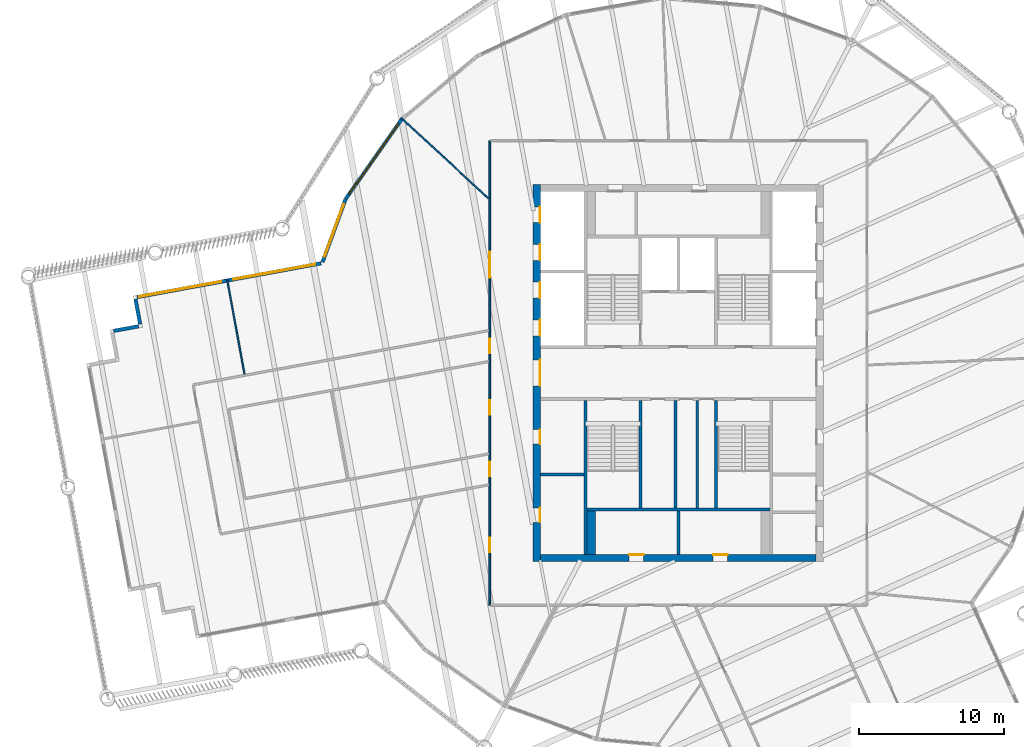
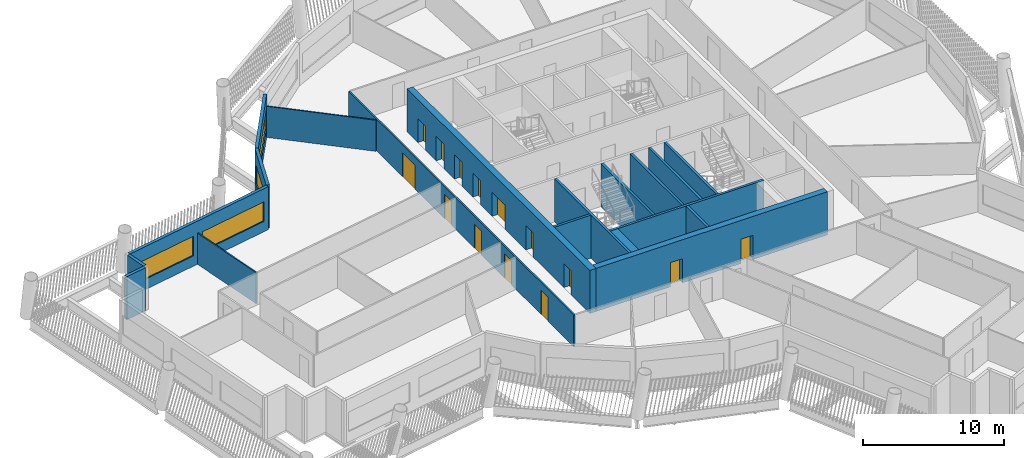
# One storey, part 4 of 15: 19 walls, 14 doors, 4 windows, 18 openings.
"""IFC4 building model written with IfcOpenShell, lengths in metres."""

from ifc_helpers import new_model, si_unit, direction, frame, frame_2d, origin, place, context, subcontext, project, spatial, rectangle, extrude, material, layer, layer_set, type_object, element, fill, save


model = new_model("IFC4")

# Units and contexts
model_context = context("Model", 3, precision=1e-05, world=origin(), true_north=direction((0.0, 1.0)))
body_context = subcontext(model_context, "Body", "Model", "MODEL_VIEW")
ifc_project = project(units=[si_unit("LENGTHUNIT", "METRE"), si_unit("AREAUNIT", "SQUARE_METRE"), si_unit("VOLUMEUNIT", "CUBIC_METRE"), si_unit("PLANEANGLEUNIT", "RADIAN"), si_unit("MASSUNIT", "GRAM", prefix="KILO")], contexts=[model_context])

# Site, building, storey
site_placement = place(None, origin())
site = spatial("IfcSite", under=ifc_project, at=site_placement, CompositionType="ELEMENT")
building_placement = place(site_placement, origin())
building = spatial("IfcBuilding", under=site, at=building_placement, Name="Tarsis Ring Headquarters", CompositionType="ELEMENT")
storey_placement = place(building_placement, frame((0.0, 0.0, 327.5)))
storey = spatial("IfcBuildingStorey", under=building, at=storey_placement, Name="L77", CompositionType="ELEMENT", Elevation=327.5)

# Walls
ifc_material_1 = material(Name="Blockwork", Category="masonry")
ifc_layer_1 = layer(ifc_material_1, 0.199951171875)
ifc_layer_set_1 = layer_set([ifc_layer_1], Name="Core blockwork wall 200")
wall_type_1 = type_object("IfcWallType", Name="Core blockwork wall 200", PredefinedType="PARTITIONING", material=ifc_layer_set_1)
for number, where, z_axis, x_axis, name in (
    (1, (-9.5, -7.0, 0.0), (0.0, 0.0, 1.0), (1.0, 0.0, 0.0), "Core partition WD2"),
    (2, (0.0, -12.5, 0.0), (0.0, 0.0, 1.0), (0.0, 1.0, 0.0), "Core partition SD2"),
):
    element("IfcWall", number, at=place(storey_placement, frame(where, z_axis=z_axis, x_axis=x_axis)), inside=storey, type_object=wall_type_1, Name=name, PredefinedType="PARTITIONING", context=body_context, shape_type="SweptSolid", body=[
        extrude(rectangle(XDim=3.0, YDim=0.199951171875, at=frame_2d((1.5, 0.0))), origin(), (0.0, 0.0, 1.0), 3.739990234375),
    ])
for number, where, z_axis, x_axis, name in (
    (3, (-0.199951171875, -9.300048828125, 0.0), (0.0, 0.0, 1.0), (0.0, 1.0, 0.0), "Core partition SV1"),
    (4, (1.300048828125, -9.300048828125, 0.0), (0.0, 0.0, 1.0), (0.0, 1.0, 0.0), "Core partition SV2"),
):
    element("IfcWall", number, at=place(storey_placement, frame(where, z_axis=z_axis, x_axis=x_axis)), inside=storey, type_object=wall_type_1, Name=name, PredefinedType="PARTITIONING", context=body_context, shape_type="SweptSolid", body=[
        extrude(rectangle(XDim=7.400146484375, YDim=0.199951171875, at=frame_2d((3.7001953125, 0.0))), origin(), (0.0, 0.0, 1.0), 3.739990234375),
    ])

# Wall, openings, doors
ifc_material_2 = material(Name="Concrete C50/60", Category="concrete")
ifc_layer_2 = layer(ifc_material_2, 0.5)
ifc_layer_set_2 = layer_set([ifc_layer_2], Name="Core wall 500 C50/60")
wall_type_2 = type_object("IfcWallType", Name="Core wall 500 C50/60", PredefinedType="SHEAR", material=ifc_layer_set_2)
wall_1_placement = place(storey_placement, frame((-9.75, -13.0, 0.0), z_axis=(0.0, 0.0, 1.0), x_axis=(0.0, 1.0, 0.0)))
wall_1 = element("IfcWall", 5, at=wall_1_placement, inside=storey, type_object=wall_type_2, Name="Core wall OW", PredefinedType="SHEAR", context=body_context, shape_type="SweptSolid", body=[
    extrude(rectangle(XDim=26.0, YDim=0.5, at=frame_2d((13.0, 0.0))), origin(), (0.0, 0.0, 1.0), 3.739990234375),
])
opening_1_placement = place(wall_1_placement, frame((2.699951171875, 0.0, 0.0)))
opening_1 = element("IfcOpeningElement", 6, at=opening_1_placement, cuts=wall_1, Name="Opening L77-C01", PredefinedType="OPENING", context=body_context, shape_type="SweptSolid", body=[
    extrude(rectangle(XDim=1.0, YDim=2.10009765625, at=frame_2d((0.5, 1.050048828125))), frame((0.0, 0.260009765625, 0.0), z_axis=(0.0, -1.0, 0.0), x_axis=(1.0, 0.0, 0.0)), (0.0, 0.0, 1.0), 0.52001953125),
])
opening_2_placement = place(wall_1_placement, frame((8.10009765625, 0.0, 0.0)))
opening_2 = element("IfcOpeningElement", 7, at=opening_2_placement, cuts=wall_1, Name="Opening L77-C02", PredefinedType="OPENING", context=body_context, shape_type="SweptSolid", body=[
    extrude(rectangle(XDim=1.0, YDim=2.10009765625, at=frame_2d((0.5, 1.050048828125))), frame((0.0, 0.260009765625, 0.0), z_axis=(0.0, -1.0, 0.0), x_axis=(1.0, 0.0, 0.0)), (0.0, 0.0, 1.0), 0.52001953125),
])
opening_3_placement = place(wall_1_placement, frame((12.10009765625, 0.0, 0.0)))
opening_3 = element("IfcOpeningElement", 8, at=opening_3_placement, cuts=wall_1, Name="Opening L77-C03", PredefinedType="OPENING", context=body_context, shape_type="SweptSolid", body=[
    extrude(rectangle(XDim=1.800048828125, YDim=2.10009765625, at=frame_2d((0.89990234375, 1.050048828125))), frame((0.0, 0.260009765625, 0.0), z_axis=(0.0, -1.0, 0.0), x_axis=(1.0, 0.0, 0.0)), (0.0, 0.0, 1.0), 0.52001953125),
])
opening_4_placement = place(wall_1_placement, frame((15.550048828125, 0.0, 0.0)))
opening_4 = element("IfcOpeningElement", 9, at=opening_4_placement, cuts=wall_1, Name="Opening LD-HR1", PredefinedType="OPENING", context=body_context, shape_type="SweptSolid", body=[
    extrude(rectangle(XDim=1.10009765625, YDim=2.10009765625, at=frame_2d((0.550048828125, 1.050048828125))), frame((0.0, 0.260009765625, 0.0), z_axis=(0.0, -1.0, 0.0), x_axis=(1.0, 0.0, 0.0)), (0.0, 0.0, 1.0), 0.52001953125),
])
opening_5_placement = place(wall_1_placement, frame((18.14990234375, 0.0, 0.0)))
opening_5 = element("IfcOpeningElement", 10, at=opening_5_placement, cuts=wall_1, Name="Opening LD-HR2", PredefinedType="OPENING", context=body_context, shape_type="SweptSolid", body=[
    extrude(rectangle(XDim=1.10009765625, YDim=2.10009765625, at=frame_2d((0.550048828125, 1.050048828125))), frame((0.0, 0.260009765625, 0.0), z_axis=(0.0, -1.0, 0.0), x_axis=(1.0, 0.0, 0.0)), (0.0, 0.0, 1.0), 0.52001953125),
])
opening_6_placement = place(wall_1_placement, frame((20.75, 0.0, 0.0)))
opening_6 = element("IfcOpeningElement", 11, at=opening_6_placement, cuts=wall_1, Name="Opening LD-HR3", PredefinedType="OPENING", context=body_context, shape_type="SweptSolid", body=[
    extrude(rectangle(XDim=1.10009765625, YDim=2.10009765625, at=frame_2d((0.550048828125, 1.050048828125))), frame((0.0, 0.260009765625, 0.0), z_axis=(0.0, -1.0, 0.0), x_axis=(1.0, 0.0, 0.0)), (0.0, 0.0, 1.0), 0.52001953125),
])
opening_7_placement = place(wall_1_placement, frame((23.35009765625, 0.0, 0.0)))
opening_7 = element("IfcOpeningElement", 12, at=opening_7_placement, cuts=wall_1, Name="Opening LD-HR4", PredefinedType="OPENING", context=body_context, shape_type="SweptSolid", body=[
    extrude(rectangle(XDim=1.10009765625, YDim=2.10009765625, at=frame_2d((0.550048828125, 1.050048828125))), frame((0.0, 0.260009765625, 0.0), z_axis=(0.0, -1.0, 0.0), x_axis=(1.0, 0.0, 0.0)), (0.0, 0.0, 1.0), 0.52001953125),
])
ifc_material_3 = material(Name="Steel S355", Category="steel")
door_type_1 = type_object("IfcDoorType", Name="Core entry door 1800x2100", OperationType="DOUBLE_DOOR_SINGLE_SWING", PredefinedType="DOOR", material=ifc_material_3)
door_1_placement = place(opening_3_placement, origin())
door_1 = element("IfcDoor", 13, at=door_1_placement, inside=storey, type_object=door_type_1, Name="Core entry door L77", OperationType="DOUBLE_DOOR_SINGLE_SWING", OverallHeight=2.10009765625, OverallWidth=1.800048828125, PredefinedType="DOOR", context=body_context, shape_type="SweptSolid", body=[
    extrude(rectangle(XDim=1.800048828125, YDim=2.10009765625, at=frame_2d((0.89990234375, 1.050048828125))), frame((0.0, -0.2001953125, 0.0), z_axis=(0.0, -1.0, 0.0), x_axis=(1.0, 0.0, 0.0)), (0.0, 0.0, 1.0), 0.050048828125),
])
fill(opening_3, door_1)
door_type_2 = type_object("IfcDoorType", Name="Core room door 1000x2100", OperationType="SINGLE_SWING_LEFT", PredefinedType="DOOR", material=ifc_material_3)
door_2_placement = place(opening_1_placement, origin())
door_2 = element("IfcDoor", 14, at=door_2_placement, inside=storey, type_object=door_type_2, Name="Core room door L77", OperationType="SINGLE_SWING_LEFT", OverallHeight=2.10009765625, OverallWidth=1.0, PredefinedType="DOOR", context=body_context, shape_type="SweptSolid", body=[
    extrude(rectangle(XDim=1.0, YDim=2.10009765625, at=frame_2d((0.5, 1.050048828125))), frame((0.0, -0.2001953125, 0.0), z_axis=(0.0, -1.0, 0.0), x_axis=(1.0, 0.0, 0.0)), (0.0, 0.0, 1.0), 0.050048828125),
])
fill(opening_1, door_2)
door_3_placement = place(opening_2_placement, origin())
door_3 = element("IfcDoor", 15, at=door_3_placement, inside=storey, type_object=door_type_2, Name="Core room door L77", OperationType="SINGLE_SWING_LEFT", OverallHeight=2.10009765625, OverallWidth=1.0, PredefinedType="DOOR", context=body_context, shape_type="SweptSolid", body=[
    extrude(rectangle(XDim=1.0, YDim=2.10009765625, at=frame_2d((0.5, 1.050048828125))), frame((0.0, -0.2001953125, 0.0), z_axis=(0.0, -1.0, 0.0), x_axis=(1.0, 0.0, 0.0)), (0.0, 0.0, 1.0), 0.050048828125),
])
fill(opening_2, door_3)
door_type_3 = type_object("IfcDoorType", Name="Landing door 1100x2100", OperationType="SLIDING_TO_LEFT", PredefinedType="DOOR", material=ifc_material_3)
door_4_placement = place(opening_4_placement, origin())
door_4 = element("IfcDoor", 16, at=door_4_placement, inside=storey, type_object=door_type_3, Name="Landing door HR1 L77", OperationType="SLIDING_TO_LEFT", OverallHeight=2.10009765625, OverallWidth=1.10009765625, PredefinedType="DOOR", context=body_context, shape_type="SweptSolid", body=[
    extrude(rectangle(XDim=1.10009765625, YDim=2.10009765625, at=frame_2d((0.550048828125, 1.050048828125))), frame((0.0, -0.2001953125, 0.0), z_axis=(0.0, -1.0, 0.0), x_axis=(1.0, 0.0, 0.0)), (0.0, 0.0, 1.0), 0.050048828125),
])
fill(opening_4, door_4)
door_5_placement = place(opening_5_placement, origin())
door_5 = element("IfcDoor", 17, at=door_5_placement, inside=storey, type_object=door_type_3, Name="Landing door HR2 L77", OperationType="SLIDING_TO_LEFT", OverallHeight=2.10009765625, OverallWidth=1.10009765625, PredefinedType="DOOR", context=body_context, shape_type="SweptSolid", body=[
    extrude(rectangle(XDim=1.10009765625, YDim=2.10009765625, at=frame_2d((0.550048828125, 1.050048828125))), frame((0.0, -0.2001953125, 0.0), z_axis=(0.0, -1.0, 0.0), x_axis=(1.0, 0.0, 0.0)), (0.0, 0.0, 1.0), 0.050048828125),
])
fill(opening_5, door_5)
door_6_placement = place(opening_6_placement, origin())
door_6 = element("IfcDoor", 18, at=door_6_placement, inside=storey, type_object=door_type_3, Name="Landing door HR3 L77", OperationType="SLIDING_TO_LEFT", OverallHeight=2.10009765625, OverallWidth=1.10009765625, PredefinedType="DOOR", context=body_context, shape_type="SweptSolid", body=[
    extrude(rectangle(XDim=1.10009765625, YDim=2.10009765625, at=frame_2d((0.550048828125, 1.050048828125))), frame((0.0, -0.2001953125, 0.0), z_axis=(0.0, -1.0, 0.0), x_axis=(1.0, 0.0, 0.0)), (0.0, 0.0, 1.0), 0.050048828125),
])
fill(opening_6, door_6)
door_7_placement = place(opening_7_placement, origin())
door_7 = element("IfcDoor", 19, at=door_7_placement, inside=storey, type_object=door_type_3, Name="Landing door HR4 L77", OperationType="SLIDING_TO_LEFT", OverallHeight=2.10009765625, OverallWidth=1.10009765625, PredefinedType="DOOR", context=body_context, shape_type="SweptSolid", body=[
    extrude(rectangle(XDim=1.10009765625, YDim=2.10009765625, at=frame_2d((0.550048828125, 1.050048828125))), frame((0.0, -0.2001953125, 0.0), z_axis=(0.0, -1.0, 0.0), x_axis=(1.0, 0.0, 0.0)), (0.0, 0.0, 1.0), 0.050048828125),
])
fill(opening_7, door_7)

wall_2_placement = place(storey_placement, frame((-9.5, -12.75, 0.0), z_axis=(0.0, 0.0, 1.0), x_axis=(1.0, 0.0, 0.0)))
wall_2 = element("IfcWall", 20, at=wall_2_placement, inside=storey, type_object=wall_type_2, Name="Core wall OS", PredefinedType="SHEAR", context=body_context, shape_type="SweptSolid", body=[
    extrude(rectangle(XDim=19.0, YDim=0.5, at=frame_2d((9.5, 0.0))), origin(), (0.0, 0.0, 1.0), 3.739990234375),
])
opening_8_placement = place(wall_2_placement, frame((6.10009765625, 0.0, 0.0)))
opening_8 = element("IfcOpeningElement", 21, at=opening_8_placement, cuts=wall_2, Name="Opening L77-C18", PredefinedType="OPENING", context=body_context, shape_type="SweptSolid", body=[
    extrude(rectangle(XDim=1.0, YDim=2.10009765625, at=frame_2d((0.5, 1.050048828125))), frame((0.0, 0.260009765625, 0.0), z_axis=(0.0, -1.0, 0.0), x_axis=(1.0, 0.0, 0.0)), (0.0, 0.0, 1.0), 0.52001953125),
])
opening_9_placement = place(wall_2_placement, frame((11.89990234375, 0.0, 0.0)))
opening_9 = element("IfcOpeningElement", 22, at=opening_9_placement, cuts=wall_2, Name="Opening L77-C19", PredefinedType="OPENING", context=body_context, shape_type="SweptSolid", body=[
    extrude(rectangle(XDim=1.0, YDim=2.10009765625, at=frame_2d((0.5, 1.050048828125))), frame((0.0, 0.260009765625, 0.0), z_axis=(0.0, -1.0, 0.0), x_axis=(1.0, 0.0, 0.0)), (0.0, 0.0, 1.0), 0.52001953125),
])
door_8_placement = place(opening_8_placement, origin())
door_8 = element("IfcDoor", 23, at=door_8_placement, inside=storey, type_object=door_type_2, Name="Core room door L77", OperationType="SINGLE_SWING_LEFT", OverallHeight=2.10009765625, OverallWidth=1.0, PredefinedType="DOOR", context=body_context, shape_type="SweptSolid", body=[
    extrude(rectangle(XDim=1.0, YDim=2.10009765625, at=frame_2d((0.5, 1.050048828125))), frame((0.0, 0.25, 0.0), z_axis=(0.0, -1.0, 0.0), x_axis=(1.0, 0.0, 0.0)), (0.0, 0.0, 1.0), 0.050048828125),
])
fill(opening_8, door_8)
door_9_placement = place(opening_9_placement, origin())
door_9 = element("IfcDoor", 24, at=door_9_placement, inside=storey, type_object=door_type_2, Name="Core room door L77", OperationType="SINGLE_SWING_LEFT", OverallHeight=2.10009765625, OverallWidth=1.0, PredefinedType="DOOR", context=body_context, shape_type="SweptSolid", body=[
    extrude(rectangle(XDim=1.0, YDim=2.10009765625, at=frame_2d((0.5, 1.050048828125))), frame((0.0, 0.25, 0.0), z_axis=(0.0, -1.0, 0.0), x_axis=(1.0, 0.0, 0.0)), (0.0, 0.0, 1.0), 0.050048828125),
])
fill(opening_9, door_9)

# Walls
ifc_material_4 = material(Name="Gypsum board on steel studs", Category="steel")
ifc_layer_3 = layer(ifc_material_4, 0.10009765625)
ifc_layer_set_3 = layer_set([ifc_layer_3], Name="FL partition 100 unrated")
wall_type_3 = type_object("IfcWallType", Name="FL partition 100 unrated", PredefinedType="PARTITIONING", material=ifc_layer_set_3)
wall_3_placement = place(storey_placement, frame((-19.10009765625, 17.5634765625, 0.0), z_axis=(0.0, 0.0, 1.0), x_axis=(0.73609602551, -0.676877124173, 0.0)))
element("IfcWall", 25, at=wall_3_placement, inside=storey, type_object=wall_type_3, Name="Partition PW3", PredefinedType="PARTITIONING", context=body_context, shape_type="SweptSolid", body=[
    extrude(rectangle(XDim=8.1669921875, YDim=0.10009765625, at=frame_2d((4.08349609375, 0.0))), origin(), (0.0, 0.0, 1.0), 2.699951171875),
])
wall_4_placement = place(storey_placement, frame((-31.093994140625, 6.44287109375, 0.0), z_axis=(0.0, 0.0, 1.0), x_axis=(0.180552223994, -0.983565399153, 0.0)))
element("IfcWall", 26, at=wall_4_placement, inside=storey, type_object=wall_type_3, Name="Partition PW3", PredefinedType="PARTITIONING", context=body_context, shape_type="SweptSolid", body=[
    extrude(rectangle(XDim=6.650146484375, YDim=0.10009765625, at=frame_2d((3.3251953125, 0.0))), origin(), (0.0, 0.0, 1.0), 2.699951171875),
])

# Wall, openings, doors
ifc_layer_4 = layer(ifc_material_4, 0.125)
ifc_layer_set_4 = layer_set([ifc_layer_4], Name="FL partition 125 EI 60 H2770")
wall_type_4 = type_object("IfcWallType", Name="FL partition 125 EI 60 H2770", PredefinedType="PARTITIONING", material=ifc_layer_set_4)
wall_5_placement = place(storey_placement, frame((-13.0, -16.0, 0.0), z_axis=(0.0, 0.0, 1.0), x_axis=(0.0, 1.0, 0.0)))
wall_5 = element("IfcWall", 27, at=wall_5_placement, inside=storey, type_object=wall_type_4, Name="Partition PW1", PredefinedType="PARTITIONING", context=body_context, shape_type="SweptSolid", body=[
    extrude(rectangle(XDim=32.0, YDim=0.125, at=frame_2d((16.0, 0.0))), origin(), (0.0, 0.0, 1.0), 2.77001953125),
])
opening_10_placement = place(wall_5_placement, frame((22.542724609375, 0.0, 0.0)))
opening_10 = element("IfcOpeningElement", 28, at=opening_10_placement, cuts=wall_5, Name="Opening D77.03", PredefinedType="OPENING", context=body_context, shape_type="SweptSolid", body=[
    extrude(rectangle(XDim=1.800048828125, YDim=2.10009765625, at=frame_2d((0.89990234375, 1.050048828125))), frame((0.0, 0.072509765625, 0.0), z_axis=(0.0, -1.0, 0.0), x_axis=(1.0, 0.0, 0.0)), (0.0, 0.0, 1.0), 0.14501953125),
])
opening_11_placement = place(wall_5_placement, frame((3.648193359375, 0.0, 0.0)))
opening_11 = element("IfcOpeningElement", 29, at=opening_11_placement, cuts=wall_5, Name="Opening D77.16", PredefinedType="OPENING", context=body_context, shape_type="SweptSolid", body=[
    extrude(rectangle(XDim=1.0, YDim=2.10009765625, at=frame_2d((0.5, 1.050048828125))), frame((0.0, 0.072509765625, 0.0), z_axis=(0.0, -1.0, 0.0), x_axis=(1.0, 0.0, 0.0)), (0.0, 0.0, 1.0), 0.14501953125),
])
opening_12_placement = place(wall_5_placement, frame((13.114013671875, 0.0, 0.0)))
opening_12 = element("IfcOpeningElement", 30, at=opening_12_placement, cuts=wall_5, Name="Opening D77.17", PredefinedType="OPENING", context=body_context, shape_type="SweptSolid", body=[
    extrude(rectangle(XDim=1.0, YDim=2.10009765625, at=frame_2d((0.5, 1.050048828125))), frame((0.0, 0.072509765625, 0.0), z_axis=(0.0, -1.0, 0.0), x_axis=(1.0, 0.0, 0.0)), (0.0, 0.0, 1.0), 0.14501953125),
])
opening_13_placement = place(wall_5_placement, frame((8.8642578125, 0.0, 0.0)))
opening_13 = element("IfcOpeningElement", 31, at=opening_13_placement, cuts=wall_5, Name="Opening D77.23", PredefinedType="OPENING", context=body_context, shape_type="SweptSolid", body=[
    extrude(rectangle(XDim=1.0, YDim=2.10009765625, at=frame_2d((0.5, 1.050048828125))), frame((0.0, 0.072509765625, 0.0), z_axis=(0.0, -1.0, 0.0), x_axis=(1.0, 0.0, 0.0)), (0.0, 0.0, 1.0), 0.14501953125),
])
opening_14_placement = place(wall_5_placement, frame((17.364013671875, 0.0, 0.0)))
opening_14 = element("IfcOpeningElement", 32, at=opening_14_placement, cuts=wall_5, Name="Opening D77.24", PredefinedType="OPENING", context=body_context, shape_type="SweptSolid", body=[
    extrude(rectangle(XDim=1.0, YDim=2.10009765625, at=frame_2d((0.5, 1.050048828125))), frame((0.0, 0.072509765625, 0.0), z_axis=(0.0, -1.0, 0.0), x_axis=(1.0, 0.0, 0.0)), (0.0, 0.0, 1.0), 0.14501953125),
])
ifc_material_5 = material(Name="Fire-rated timber door leaf in steel frame", Category="steel")
door_type_4 = type_object("IfcDoorType", Name="FL door FD60-1000", OperationType="NOTDEFINED", PredefinedType="DOOR", material=ifc_material_5)
door_10_placement = place(opening_11_placement, origin())
door_10 = element("IfcDoor", 33, at=door_10_placement, inside=storey, type_object=door_type_4, Name="Door D77.16", OperationType="SINGLE_SWING_LEFT", OverallHeight=2.10009765625, OverallWidth=1.0, PredefinedType="DOOR", context=body_context, shape_type="SweptSolid", body=[
    extrude(rectangle(XDim=1.0, YDim=2.10009765625, at=frame_2d((0.5, 1.050048828125))), frame((0.0, 0.02490234375, 0.0), z_axis=(0.0, -1.0, 0.0), x_axis=(1.0, 0.0, 0.0)), (0.0, 0.0, 1.0), 0.050048828125),
])
fill(opening_11, door_10)
door_11_placement = place(opening_12_placement, origin())
door_11 = element("IfcDoor", 34, at=door_11_placement, inside=storey, type_object=door_type_4, Name="Door D77.17", OperationType="SINGLE_SWING_RIGHT", OverallHeight=2.10009765625, OverallWidth=1.0, PredefinedType="DOOR", context=body_context, shape_type="SweptSolid", body=[
    extrude(rectangle(XDim=1.0, YDim=2.10009765625, at=frame_2d((0.5, 1.050048828125))), frame((0.0, 0.02490234375, 0.0), z_axis=(0.0, -1.0, 0.0), x_axis=(1.0, 0.0, 0.0)), (0.0, 0.0, 1.0), 0.050048828125),
])
fill(opening_12, door_11)
door_12_placement = place(opening_13_placement, origin())
door_12 = element("IfcDoor", 35, at=door_12_placement, inside=storey, type_object=door_type_4, Name="Door D77.23", OperationType="SINGLE_SWING_RIGHT", OverallHeight=2.10009765625, OverallWidth=1.0, PredefinedType="DOOR", context=body_context, shape_type="SweptSolid", body=[
    extrude(rectangle(XDim=1.0, YDim=2.10009765625, at=frame_2d((0.5, 1.050048828125))), frame((0.0, 0.02490234375, 0.0), z_axis=(0.0, -1.0, 0.0), x_axis=(1.0, 0.0, 0.0)), (0.0, 0.0, 1.0), 0.050048828125),
])
fill(opening_13, door_12)
door_13_placement = place(opening_14_placement, origin())
door_13 = element("IfcDoor", 36, at=door_13_placement, inside=storey, type_object=door_type_4, Name="Door D77.24", OperationType="SINGLE_SWING_LEFT", OverallHeight=2.10009765625, OverallWidth=1.0, PredefinedType="DOOR", context=body_context, shape_type="SweptSolid", body=[
    extrude(rectangle(XDim=1.0, YDim=2.10009765625, at=frame_2d((0.5, 1.050048828125))), frame((0.0, 0.02490234375, 0.0), z_axis=(0.0, -1.0, 0.0), x_axis=(1.0, 0.0, 0.0)), (0.0, 0.0, 1.0), 0.050048828125),
])
fill(opening_14, door_13)
door_type_5 = type_object("IfcDoorType", Name="FL door FD60-1800", OperationType="DOUBLE_DOOR_SINGLE_SWING", PredefinedType="DOOR", material=ifc_material_5)
door_14_placement = place(opening_10_placement, origin())
door_14 = element("IfcDoor", 37, at=door_14_placement, inside=storey, type_object=door_type_5, Name="Door D77.03", OperationType="DOUBLE_DOOR_SINGLE_SWING", OverallHeight=2.10009765625, OverallWidth=1.800048828125, PredefinedType="DOOR", context=body_context, shape_type="SweptSolid", body=[
    extrude(rectangle(XDim=1.800048828125, YDim=2.10009765625, at=frame_2d((0.89990234375, 1.050048828125))), frame((0.0, 0.02490234375, 0.0), z_axis=(0.0, -1.0, 0.0), x_axis=(1.0, 0.0, 0.0)), (0.0, 0.0, 1.0), 0.050048828125),
])
fill(opening_10, door_14)

# Wall, opening, window
ifc_material_6 = material(Name="Terracotta clad insulated panel wall", Category="masonry")
ifc_layer_5 = layer(ifc_material_6, 0.25)
ifc_layer_set_5 = layer_set([ifc_layer_5], Name="Facade wall terracotta panel 250")
wall_type_5 = type_object("IfcWallType", Name="Facade wall terracotta panel 250", PredefinedType="STANDARD", material=ifc_layer_set_5)
wall_6_placement = place(storey_placement, frame((-19.05517578125, 17.5, 0.0), z_axis=(0.0, 0.0, 1.0), x_axis=(-0.575009260043, -0.818146900541, 0.0)))
wall_6 = element("IfcWall", 38, at=wall_6_placement, inside=storey, type_object=wall_type_5, Name="External wall L77-29", PredefinedType="STANDARD", context=body_context, shape_type="SweptSolid", body=[
    extrude(rectangle(XDim=6.7216796875, YDim=0.25, at=frame_2d((3.36083984375, 0.0))), origin(), (0.0, 0.0, 1.0), 3.739990234375),
])
opening_15_placement = place(wall_6_placement, frame((0.3857421875, 0.0, 0.89990234375)))
opening_15 = element("IfcOpeningElement", 39, at=opening_15_placement, cuts=wall_6, Name="Opening WN07", PredefinedType="OPENING", context=body_context, shape_type="SweptSolid", body=[
    extrude(rectangle(XDim=5.949951171875, YDim=1.699951171875, at=frame_2d((2.97509765625, 0.85009765625))), frame((0.0, 0.135009765625, 0.0), z_axis=(0.0, -1.0, 0.0), x_axis=(1.0, 0.0, 0.0)), (0.0, 0.0, 1.0), 0.27001953125),
])
ifc_material_7 = material(Name="Aluminium framed double glazing", Category="aluminium")
window_type_1 = type_object("IfcWindowType", Name="Facade window 5950 x 1700", PartitioningType="SINGLE_PANEL", PredefinedType="WINDOW", material=ifc_material_7)
window_1_placement = place(opening_15_placement, origin())
window_1 = element("IfcWindow", 40, at=window_1_placement, inside=storey, type_object=window_type_1, Name="Window L77-29.1", OverallHeight=1.699951171875, OverallWidth=5.949951171875, PartitioningType="SINGLE_PANEL", PredefinedType="WINDOW", context=body_context, shape_type="SweptSolid", body=[
    extrude(rectangle(XDim=5.949951171875, YDim=1.699951171875, at=frame_2d((2.97509765625, 0.85009765625))), frame((0.0, 0.030029296875, 0.0), z_axis=(0.0, -1.0, 0.0), x_axis=(1.0, 0.0, 0.0)), (0.0, 0.0, 1.0), 0.06005859375),
])
fill(opening_15, window_1)

wall_7_placement = place(storey_placement, frame((-22.935302734375, 11.971923828125, 0.0), z_axis=(0.0, 0.0, 1.0), x_axis=(-0.343644079327, -0.939099966321, 0.0)))
wall_7 = element("IfcWall", 41, at=wall_7_placement, inside=storey, type_object=wall_type_5, Name="External wall L77-30", PredefinedType="STANDARD", context=body_context, shape_type="SweptSolid", body=[
    extrude(rectangle(XDim=4.617919921875, YDim=0.25, at=frame_2d((2.30908203125, 0.0))), origin(), (0.0, 0.0, 1.0), 3.739990234375),
])
opening_16_placement = place(wall_7_placement, frame((0.367431640625, 0.0, 0.89990234375)))
opening_16 = element("IfcOpeningElement", 42, at=opening_16_placement, cuts=wall_7, Name="Opening WN02", PredefinedType="OPENING", context=body_context, shape_type="SweptSolid", body=[
    extrude(rectangle(XDim=3.85009765625, YDim=1.699951171875, at=frame_2d((1.925048828125, 0.85009765625))), frame((0.0, 0.135009765625, 0.0), z_axis=(0.0, -1.0, 0.0), x_axis=(1.0, 0.0, 0.0)), (0.0, 0.0, 1.0), 0.27001953125),
])
window_type_2 = type_object("IfcWindowType", Name="Facade window 3850 x 1700", PartitioningType="SINGLE_PANEL", PredefinedType="WINDOW", material=ifc_material_7)
window_2_placement = place(opening_16_placement, origin())
window_2 = element("IfcWindow", 43, at=window_2_placement, inside=storey, type_object=window_type_2, Name="Window L77-30.1", OverallHeight=1.699951171875, OverallWidth=3.85009765625, PartitioningType="SINGLE_PANEL", PredefinedType="WINDOW", context=body_context, shape_type="SweptSolid", body=[
    extrude(rectangle(XDim=3.85009765625, YDim=1.699951171875, at=frame_2d((1.925048828125, 0.85009765625))), frame((0.0, 0.030029296875, 0.0), z_axis=(0.0, -1.0, 0.0), x_axis=(1.0, 0.0, 0.0)), (0.0, 0.0, 1.0), 0.06005859375),
])
fill(opening_16, window_2)

# Wall, openings, windows
wall_8_placement = place(storey_placement, frame((-24.616943359375, 7.55517578125, 0.0), z_axis=(0.0, 0.0, 1.0), x_axis=(-0.983572751246, -0.18051216858, 0.0)))
wall_8 = element("IfcWall", 44, at=wall_8_placement, inside=storey, type_object=wall_type_5, Name="External wall L77-31", PredefinedType="STANDARD", context=body_context, shape_type="SweptSolid", body=[
    extrude(rectangle(XDim=12.9013671875, YDim=0.25, at=frame_2d((6.45068359375, 0.0))), origin(), (0.0, 0.0, 1.0), 3.739990234375),
])
opening_17_placement = place(wall_8_placement, frame((0.412841796875, 0.0, 0.89990234375)))
opening_17 = element("IfcOpeningElement", 45, at=opening_17_placement, cuts=wall_8, Name="Opening WN06", PredefinedType="OPENING", context=body_context, shape_type="SweptSolid", body=[
    extrude(rectangle(XDim=5.75, YDim=1.699951171875, at=frame_2d((2.875, 0.85009765625))), frame((0.0, 0.135009765625, 0.0), z_axis=(0.0, -1.0, 0.0), x_axis=(1.0, 0.0, 0.0)), (0.0, 0.0, 1.0), 0.27001953125),
])
opening_18_placement = place(wall_8_placement, frame((6.988525390625, 0.0, 0.89990234375)))
opening_18 = element("IfcOpeningElement", 46, at=opening_18_placement, cuts=wall_8, Name="Opening WN06", PredefinedType="OPENING", context=body_context, shape_type="SweptSolid", body=[
    extrude(rectangle(XDim=5.75, YDim=1.699951171875, at=frame_2d((2.875, 0.85009765625))), frame((0.0, 0.135009765625, 0.0), z_axis=(0.0, -1.0, 0.0), x_axis=(1.0, 0.0, 0.0)), (0.0, 0.0, 1.0), 0.27001953125),
])
window_type_3 = type_object("IfcWindowType", Name="Facade window 5750 x 1700", PartitioningType="SINGLE_PANEL", PredefinedType="WINDOW", material=ifc_material_7)
window_3_placement = place(opening_17_placement, origin())
window_3 = element("IfcWindow", 47, at=window_3_placement, inside=storey, type_object=window_type_3, Name="Window L77-31.1", OverallHeight=1.699951171875, OverallWidth=5.75, PartitioningType="SINGLE_PANEL", PredefinedType="WINDOW", context=body_context, shape_type="SweptSolid", body=[
    extrude(rectangle(XDim=5.75, YDim=1.699951171875, at=frame_2d((2.875, 0.85009765625))), frame((0.0, 0.030029296875, 0.0), z_axis=(0.0, -1.0, 0.0), x_axis=(1.0, 0.0, 0.0)), (0.0, 0.0, 1.0), 0.06005859375),
])
fill(opening_17, window_3)
window_4_placement = place(opening_18_placement, origin())
window_4 = element("IfcWindow", 48, at=window_4_placement, inside=storey, type_object=window_type_3, Name="Window L77-31.2", OverallHeight=1.699951171875, OverallWidth=5.75, PartitioningType="SINGLE_PANEL", PredefinedType="WINDOW", context=body_context, shape_type="SweptSolid", body=[
    extrude(rectangle(XDim=5.75, YDim=1.699951171875, at=frame_2d((2.875, 0.85009765625))), frame((0.0, 0.030029296875, 0.0), z_axis=(0.0, -1.0, 0.0), x_axis=(1.0, 0.0, 0.0)), (0.0, 0.0, 1.0), 0.06005859375),
])
fill(opening_18, window_4)

# Walls
for number, where, z_axis, x_axis, name in (
    (49, (-37.40673828125, 5.080810546875, 0.0), (0.0, 0.0, 1.0), (0.180530330047, -0.983569417953, 0.0), "External wall L77-32"),
    (50, (-37.191162109375, 3.214111328125, 0.0), (0.0, 0.0, 1.0), (-0.983569417953, -0.180530330047, 0.0), "External wall L77-33"),
):
    element("IfcWall", number, at=place(storey_placement, frame(where, z_axis=z_axis, x_axis=x_axis)), inside=storey, type_object=wall_type_5, Name=name, PredefinedType="STANDARD", context=body_context, shape_type="SweptSolid", body=[
        extrude(rectangle(XDim=1.75, YDim=0.25, at=frame_2d((0.875, 0.0))), origin(), (0.0, 0.0, 1.0), 3.739990234375),
    ])
ifc_material_8 = material(Name="Concrete C32/40", Category="concrete")
ifc_layer_6 = layer(ifc_material_8, 0.60009765625)
ifc_layer_set_6 = layer_set([ifc_layer_6], Name="Shaft end wall 600 C32/40")
wall_type_6 = type_object("IfcWallType", Name="Shaft end wall 600 C32/40", PredefinedType="SOLIDWALL", material=ifc_layer_set_6)
wall_9_placement = place(storey_placement, frame((-6.0, -12.5, 0.0), z_axis=(0.0, 0.0, 1.0), x_axis=(0.0, 1.0, 0.0)))
element("IfcWall", 51, at=wall_9_placement, inside=storey, type_object=wall_type_6, Name="Core shaft wall SNE1", PredefinedType="SOLIDWALL", context=body_context, shape_type="SweptSolid", body=[
    extrude(rectangle(XDim=3.0, YDim=0.60009765625, at=frame_2d((1.5, 0.0))), origin(), (0.0, 0.0, 1.0), 3.739990234375),
])
ifc_layer_7 = layer(ifc_material_8, 0.199951171875)
ifc_layer_set_7 = layer_set([ifc_layer_7], Name="Shaft wall 200 C32/40")
wall_type_7 = type_object("IfcWallType", Name="Shaft wall 200 C32/40", PredefinedType="SOLIDWALL", material=ifc_layer_set_7)
wall_10_placement = place(storey_placement, frame((-6.39990234375, -12.5, 0.0), z_axis=(0.0, 0.0, 1.0), x_axis=(0.0, 1.0, 0.0)))
element("IfcWall", 52, at=wall_10_placement, inside=storey, type_object=wall_type_7, Name="Core shaft wall WB1", PredefinedType="SOLIDWALL", context=body_context, shape_type="SweptSolid", body=[
    extrude(rectangle(XDim=10.60009765625, YDim=0.199951171875, at=frame_2d((5.300048828125, 0.0))), origin(), (0.0, 0.0, 1.0), 3.739990234375),
])
wall_11_placement = place(storey_placement, frame((-6.300048828125, -9.39990234375, 0.0), z_axis=(0.0, 0.0, 1.0), x_axis=(1.0, 0.0, 0.0)))
element("IfcWall", 53, at=wall_11_placement, inside=storey, type_object=wall_type_7, Name="Core shaft wall SB", PredefinedType="SOLIDWALL", context=body_context, shape_type="SweptSolid", body=[
    extrude(rectangle(XDim=12.60009765625, YDim=0.199951171875, at=frame_2d((6.300048828125, 0.0))), origin(), (0.0, 0.0, 1.0), 3.739990234375),
])
for number, where, z_axis, x_axis, name in (
    (54, (-2.60009765625, -9.300048828125, 0.0), (0.0, 0.0, 1.0), (0.0, 1.0, 0.0), "Core shaft wall SW3"),
    (55, (2.60009765625, -9.300048828125, 0.0), (0.0, 0.0, 1.0), (0.0, 1.0, 0.0), "Core shaft wall SW4"),
):
    element("IfcWall", number, at=place(storey_placement, frame(where, z_axis=z_axis, x_axis=x_axis)), inside=storey, type_object=wall_type_7, Name=name, PredefinedType="SOLIDWALL", context=body_context, shape_type="SweptSolid", body=[
        extrude(rectangle(XDim=7.400146484375, YDim=0.199951171875, at=frame_2d((3.7001953125, 0.0))), origin(), (0.0, 0.0, 1.0), 3.739990234375),
    ])

save(model, "model.ifc")
